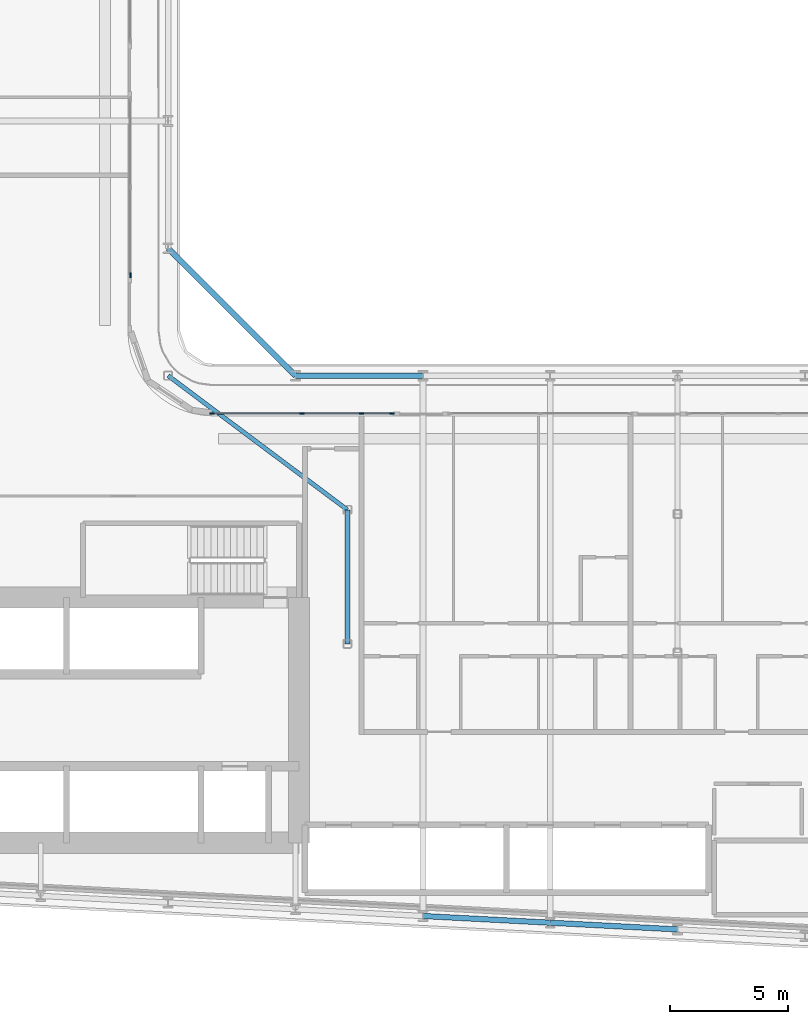
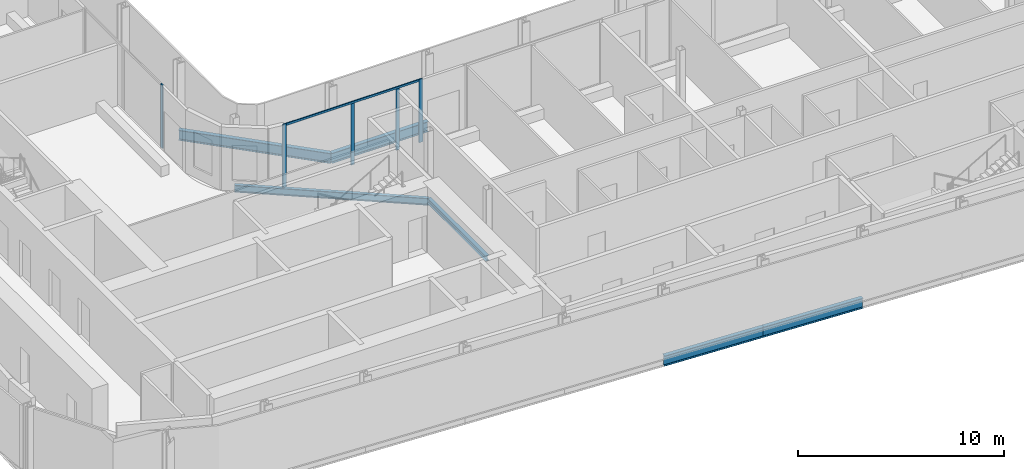
# One storey, part 4 of 27: 6 beams, 6 members, 2 elements without a shape of their own.
"""IFC4 building model written with IfcOpenShell, lengths in metres."""

from ifc_helpers import new_model, si_unit, direction, frame, origin, origin_2d, place, context, subcontext, project, spatial, rectangle, i_section, extrude, material, layer, layer_set, material_profile, profile_set, type_object, element, aggregate, save


model = new_model("IFC4")

# Units and contexts
model_context = context("Model", 3, precision=1e-05, world=origin(), true_north=direction((0.0, 1.0)))
body_context = subcontext(model_context, "Body", "Model", "MODEL_VIEW")
ifc_project = project(units=[si_unit("LENGTHUNIT", "METRE"), si_unit("AREAUNIT", "SQUARE_METRE"), si_unit("VOLUMEUNIT", "CUBIC_METRE"), si_unit("PLANEANGLEUNIT", "RADIAN"), si_unit("MASSUNIT", "GRAM", prefix="KILO")], contexts=[model_context])

# Site, building, storey
site_placement = place(None, origin())
site = spatial("IfcSite", under=ifc_project, at=site_placement, CompositionType="ELEMENT")
building_placement = place(site_placement, origin())
building = spatial("IfcBuilding", under=site, at=building_placement, Name="Kheshtan School and Residences Tower", CompositionType="ELEMENT")
storey_placement = place(building_placement, frame((0.0, 0.0, 98.0)))
storey = spatial("IfcBuildingStorey", under=building, at=storey_placement, Name="L22", CompositionType="ELEMENT", Elevation=98.0)

# Beams
ifc_material_1 = material(Name="Steel ASTM A992 Grade 50", Category="steel")
ifc_material_profile_1 = material_profile(ifc_material_1, i_section(OverallWidth=0.202880859375, OverallDepth=0.302978515625, WebThickness=0.007568359375, FlangeThickness=0.01318359375, FilletRadius=0.009033203125, at=origin_2d()), Name="W310x60")
ifc_profile_set_1 = profile_set([ifc_material_profile_1], Name="Steel ASTM A992 Grade 50")
beam_type_1 = type_object("IfcBeamType", Name="Beam FB1 W310x60 ASTM A992 Grade 50", PredefinedType="BEAM", material=ifc_profile_set_1)
beam_1_placement = place(storey_placement, frame((55.199951171875, 34.23193359375, -0.301513671875), z_axis=(0.0, 1.0, 0.0), x_axis=(-1.0, 0.0, 0.0)))
element("IfcBeam", 1, at=beam_1_placement, inside=storey, type_object=beam_type_1, Name="Floor beam IC", PredefinedType="BEAM", context=body_context, shape_type="SweptSolid", body=[
    extrude(i_section(OverallWidth=0.202880859375, OverallDepth=0.302978515625, WebThickness=0.007568359375, FlangeThickness=0.01318359375, FilletRadius=0.009033203125, at=origin_2d()), origin(), (0.0, 0.0, 1.0), 5.68408203125),
])
ifc_material_profile_2 = material_profile(ifc_material_1, i_section(OverallWidth=0.180908203125, OverallDepth=0.4169921875, WebThickness=0.010986328125, FlangeThickness=0.018310546875, FilletRadius=0.012451171875, at=origin_2d()), Name="W410x85")
ifc_profile_set_2 = profile_set([ifc_material_profile_2], Name="Steel ASTM A992 Grade 50")
beam_type_2 = type_object("IfcBeamType", Name="Beam FB3 W410x85 ASTM A992 Grade 50", PredefinedType="BEAM", material=ifc_profile_set_2)
beam_2_placement = place(storey_placement, frame((47.60009765625, 45.60009765625, -0.3583984375), z_axis=(0.800798828004, -0.598933416222, 0.0), x_axis=(0.598933416222, 0.800798828004, 0.0)))
element("IfcBeam", 2, at=beam_2_placement, inside=storey, type_object=beam_type_2, Name="Floor beam IC", PredefinedType="BEAM", context=body_context, shape_type="SweptSolid", body=[
    extrude(i_section(OverallWidth=0.180908203125, OverallDepth=0.4169921875, WebThickness=0.010986328125, FlangeThickness=0.018310546875, FilletRadius=0.012451171875, at=origin_2d()), origin(), (0.0, 0.0, 1.0), 9.490234375),
])
ifc_material_profile_3 = material_profile(ifc_material_1, i_section(OverallWidth=0.22802734375, OverallDepth=0.60302734375, WebThickness=0.010498046875, FlangeThickness=0.014892578125, FilletRadius=0.013427734375, at=origin_2d()), Name="W610x101")
ifc_profile_set_3 = profile_set([ifc_material_profile_3], Name="Steel ASTM A992 Grade 50")
beam_type_3 = type_object("IfcBeamType", Name="Beam SP2 W610x101 ASTM A992 Grade 50", PredefinedType="BEAM", material=ifc_profile_set_3)
beam_3_placement = place(storey_placement, frame((47.60009765625, 51.0, -0.451416015625), z_axis=(0.707106781187, -0.707106781187, 0.0), x_axis=(0.707106781187, 0.707106781187, 0.0)))
element("IfcBeam", 3, at=beam_3_placement, inside=storey, type_object=beam_type_3, Name="Spandrel beam C079-C061", PredefinedType="BEAM", context=body_context, shape_type="SweptSolid", body=[
    extrude(i_section(OverallWidth=0.22802734375, OverallDepth=0.60302734375, WebThickness=0.010498046875, FlangeThickness=0.014892578125, FilletRadius=0.013427734375, at=origin_2d()), origin(), (0.0, 0.0, 1.0), 7.63671875),
])
beam_4_placement = place(storey_placement, frame((53.0, 45.60009765625, -0.451416015625), z_axis=(1.0, 0.0, 0.0), x_axis=(0.0, 1.0, 0.0)))
element("IfcBeam", 4, at=beam_4_placement, inside=storey, type_object=beam_type_3, Name="Spandrel beam C061-C062", PredefinedType="BEAM", context=body_context, shape_type="SweptSolid", body=[
    extrude(i_section(OverallWidth=0.22802734375, OverallDepth=0.60302734375, WebThickness=0.010498046875, FlangeThickness=0.014892578125, FilletRadius=0.013427734375, at=origin_2d()), origin(), (0.0, 0.0, 1.0), 5.39990234375),
])
beam_5_placement = place(storey_placement, frame((69.199951171875, 22.126953125, -0.451416015625), z_axis=(-0.998620447272, 0.05250906864, 0.0), x_axis=(-0.05250906864, -0.998620447272, 0.0)))
element("IfcBeam", 5, at=beam_5_placement, inside=storey, type_object=beam_type_3, Name="Spandrel beam C014-C016", PredefinedType="BEAM", context=body_context, shape_type="SweptSolid", body=[
    extrude(i_section(OverallWidth=0.22802734375, OverallDepth=0.60302734375, WebThickness=0.010498046875, FlangeThickness=0.014892578125, FilletRadius=0.013427734375, at=origin_2d()), origin(), (0.0, 0.0, 1.0), 5.407470703125),
])
beam_6_placement = place(storey_placement, frame((63.800048828125, 22.410888671875, -0.451416015625), z_axis=(-0.998618203458, 0.052551724256, 0.0), x_axis=(-0.052551724256, -0.998618203458, 0.0)))
element("IfcBeam", 6, at=beam_6_placement, inside=storey, type_object=beam_type_3, Name="Spandrel beam C016-C018", PredefinedType="BEAM", context=body_context, shape_type="SweptSolid", body=[
    extrude(i_section(OverallWidth=0.22802734375, OverallDepth=0.60302734375, WebThickness=0.010498046875, FlangeThickness=0.014892578125, FilletRadius=0.013427734375, at=origin_2d()), origin(), (0.0, 0.0, 1.0), 5.40771484375),
])

# Curtain wall, member
ifc_material_2 = material(Name="Clear low-e glass in thermally broken aluminium frame", Category="aluminium")
ifc_layer = layer(ifc_material_2, 0.199951171875)
ifc_layer_set = layer_set([ifc_layer], Name="Curtain wall CW-L")
curtain_wall_type = type_object("IfcCurtainWallType", Name="Curtain wall CW-L", PredefinedType="NOTDEFINED", material=ifc_layer_set)
curtain_wall_1_placement = place(storey_placement, origin())
curtain_wall_1 = element("IfcCurtainWall", 7, at=curtain_wall_1_placement, inside=storey, type_object=curtain_wall_type, Name="Curtain wall CWL4a", PredefinedType="NOTDEFINED")
ifc_material_3 = material(Name="Thermally broken aluminium, dark bronze anodised", Category="aluminium")
ifc_material_profile_4 = material_profile(ifc_material_3, rectangle(XDim=0.06005859375, YDim=0.199951171875, at=origin_2d()), Name="CW-L mullion 60x200")
ifc_profile_set_4 = profile_set([ifc_material_profile_4], Name="Thermally broken aluminium, dark bronze anodised")
member_type_1 = type_object("IfcMemberType", Name="CW-L mullion 60x200", PredefinedType="MULLION", material=ifc_profile_set_4)
member_1_placement = place(storey_placement, frame((46.0, 49.860107421875, 0.0), z_axis=(0.0, 0.0, 1.0), x_axis=(1.0, 0.0, 0.0)))
member_1 = element("IfcMember", 8, at=member_1_placement, type_object=member_type_1, Name="CWL4a mullion 3", PredefinedType="MULLION", context=body_context, shape_type="SweptSolid", body=[
    extrude(rectangle(XDim=0.06005859375, YDim=0.199951171875, at=origin_2d()), origin(), (0.0, 0.0, 1.0), 3.75),
])
aggregate(curtain_wall_1, [member_1])

# Curtain wall, members
curtain_wall_2_placement = place(storey_placement, origin())
curtain_wall_2 = element("IfcCurtainWall", 9, at=curtain_wall_2_placement, inside=storey, type_object=curtain_wall_type, Name="Curtain wall CWL8c", PredefinedType="NOTDEFINED")
member_2_placement = place(storey_placement, frame((49.4599609375, 44.0, 0.0), z_axis=(0.0, 0.0, 1.0), x_axis=(0.0, 1.0, 0.0)))
member_2 = element("IfcMember", 10, at=member_2_placement, type_object=member_type_1, Name="CWL8c mullion 1", PredefinedType="MULLION", context=body_context, shape_type="SweptSolid", body=[
    extrude(rectangle(XDim=0.06005859375, YDim=0.199951171875, at=origin_2d()), origin(), (0.0, 0.0, 1.0), 3.75),
])
member_3_placement = place(storey_placement, frame((53.277099609375, 44.0, 0.0), z_axis=(0.0, 0.0, 1.0), x_axis=(0.0, 1.0, 0.0)))
member_3 = element("IfcMember", 11, at=member_3_placement, type_object=member_type_1, Name="CWL8c mullion 2", PredefinedType="MULLION", context=body_context, shape_type="SweptSolid", body=[
    extrude(rectangle(XDim=0.06005859375, YDim=0.199951171875, at=origin_2d()), origin(), (0.0, 0.0, 1.0), 3.6298828125),
])
member_4_placement = place(storey_placement, frame((55.800048828125, 44.0, 0.0), z_axis=(0.0, 0.0, 1.0), x_axis=(0.0, 1.0, 0.0)))
member_4 = element("IfcMember", 12, at=member_4_placement, type_object=member_type_1, Name="CWL8c mullion 3", PredefinedType="MULLION", context=body_context, shape_type="SweptSolid", body=[
    extrude(rectangle(XDim=0.06005859375, YDim=0.199951171875, at=origin_2d()), origin(), (0.0, 0.0, 1.0), 3.6298828125),
])
member_5_placement = place(storey_placement, frame((57.093994140625, 44.0, 0.0), z_axis=(0.0, 0.0, 1.0), x_axis=(0.0, 1.0, 0.0)))
member_5 = element("IfcMember", 13, at=member_5_placement, type_object=member_type_1, Name="CWL8c mullion 4", PredefinedType="MULLION", context=body_context, shape_type="SweptSolid", body=[
    extrude(rectangle(XDim=0.06005859375, YDim=0.199951171875, at=origin_2d()), origin(), (0.0, 0.0, 1.0), 3.75),
])
ifc_material_profile_5 = material_profile(ifc_material_3, rectangle(XDim=0.06005859375, YDim=0.1201171875, at=origin_2d()), Name="CW-L transom 60x120")
ifc_profile_set_5 = profile_set([ifc_material_profile_5], Name="Thermally broken aluminium, dark bronze anodised")
member_type_2 = type_object("IfcMemberType", Name="CW-L transom 60x120", PredefinedType="USERDEFINED", material=ifc_profile_set_5)
member_6_placement = place(storey_placement, frame((49.489990234375, 44.0, 3.68994140625), z_axis=(1.0, 0.0, 0.0), x_axis=(0.0, 1.0, 0.0)))
member_6 = element("IfcMember", 14, at=member_6_placement, type_object=member_type_2, Name="CWL8c transom 1", ObjectType="TRANSOM", PredefinedType="USERDEFINED", context=body_context, shape_type="SweptSolid", body=[
    extrude(rectangle(XDim=0.06005859375, YDim=0.1201171875, at=origin_2d()), origin(), (0.0, 0.0, 1.0), 7.573974609375),
])
aggregate(curtain_wall_2, [member_2, member_3, member_4, member_5, member_6])

save(model, "model.ifc")
